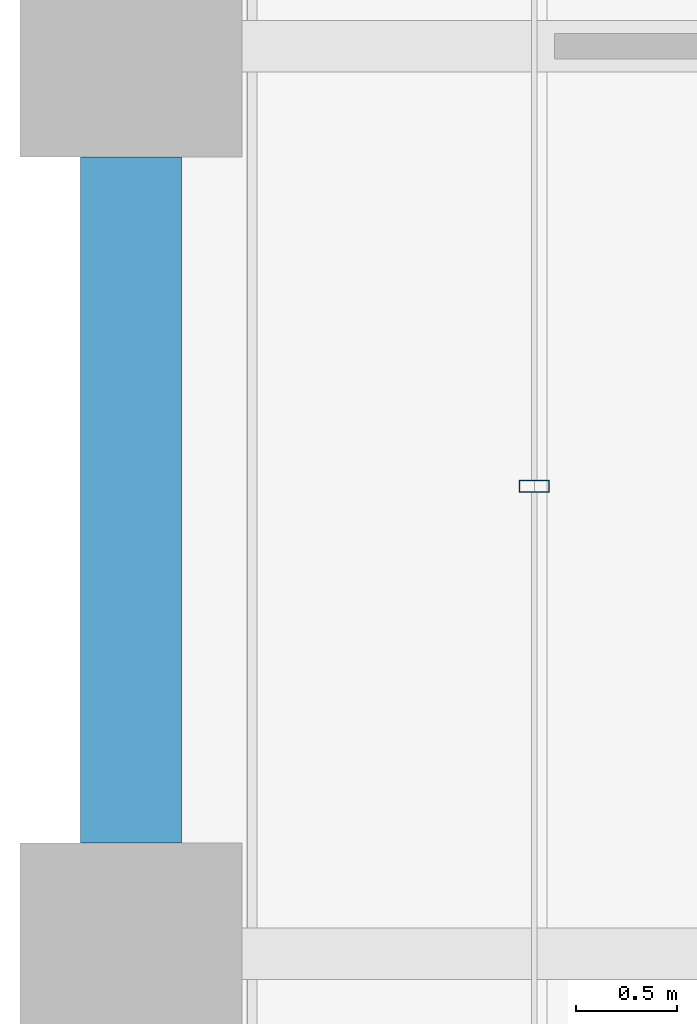
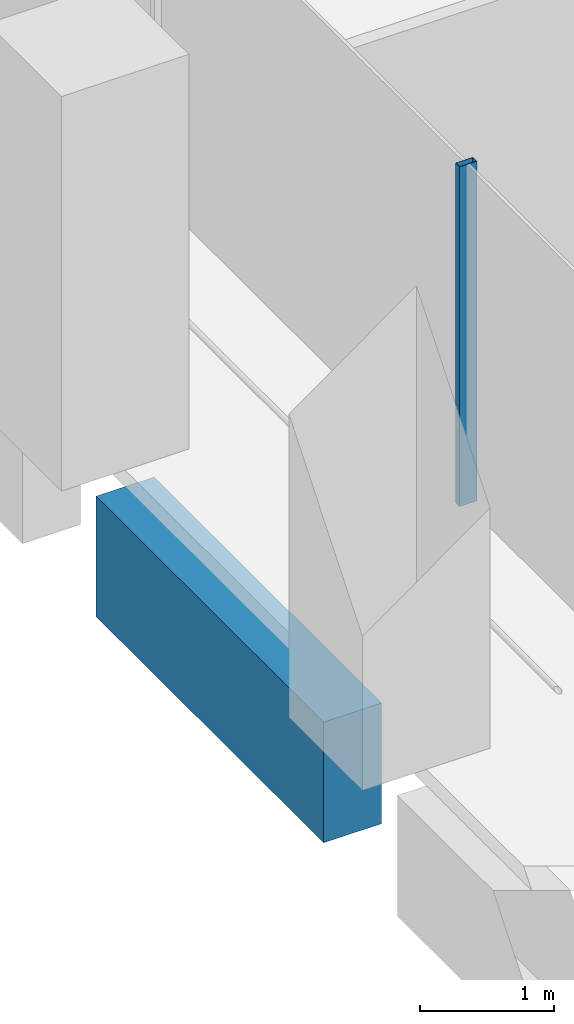
# One storey, part 12 of 56: 1 beam, 1 member, 1 element without a shape of its own.
"""IFC4 building model written with IfcOpenShell, lengths in metres."""

import ifcopenshell
import ifcopenshell.guid

model = None  # the IFC model being written
_history = None  # IfcOwnerHistory: only IFC2X3 demands one
_inside = {}  # id of a spatial element -> (the spatial element, [elements in it])
_under = {}  # id of a project, library or spatial element -> (it, [spatial elements below it])
_declared = {}  # id of a project -> (the project, [libraries it declares])
_typed = {}  # id of a type object -> (the type object, [elements of that type])
_made_of = {}  # id of a material, layer set ... -> (it, [elements and type objects made of it])


def new_model(schema):
    """Start an empty IFC model of exactly this schema.

    Asked for "IFC4X3", IfcOpenShell would pick the latest addendum, in which some entities
    have other attributes; the version numbers below select the first issue.
    IFC2X3 requires an IfcOwnerHistory on every rooted entity: one is made here for all.
    """
    global model, _history
    if schema == "IFC4X3":
        model = ifcopenshell.file(schema_version=(4, 3, 0, 0))
    else:
        model = ifcopenshell.file(schema=schema)
    _inside.clear()
    _under.clear()
    _declared.clear()
    _typed.clear()
    _made_of.clear()
    _history = None
    if model.schema == "IFC2X3":
        org = make("IfcOrganization", Name="unknown")
        user = make(
            "IfcPersonAndOrganization",
            ThePerson=make("IfcPerson", FamilyName="unknown"),
            TheOrganization=org,
        )
        app = make(
            "IfcApplication",
            ApplicationDeveloper=org,
            Version="unknown",
            ApplicationFullName="unknown",
            ApplicationIdentifier="unknown",
        )
        _history = make(
            "IfcOwnerHistory",
            OwningUser=user,
            OwningApplication=app,
            ChangeAction="ADDED",
            CreationDate=0,
        )
    return model


def make(cls, **values):
    """One entity of the class cls with the attributes given. An attribute that is None is left unset."""
    return model.create_entity(
        cls, **{name: value for name, value in values.items() if value is not None}
    )


def rooted(cls, **values):
    """An entity with a GlobalId (a new one), such as an element, a storey or a relation."""
    return make(cls, GlobalId=ifcopenshell.guid.new(), OwnerHistory=_history, **values)


def si_unit(unit_type, name, prefix=None):
    """IfcSIUnit, for example si_unit("LENGTHUNIT", "METRE", prefix="MILLI")."""
    return make("IfcSIUnit", UnitType=unit_type, Prefix=prefix, Name=name)


def assignment(units):
    """IfcUnitAssignment: the units of a project."""
    return None if units is None else make("IfcUnitAssignment", Units=units)


def point(xyz):
    """IfcCartesianPoint."""
    return None if xyz is None else make("IfcCartesianPoint", Coordinates=xyz)


def direction(xyz):
    """IfcDirection."""
    return None if xyz is None else make("IfcDirection", DirectionRatios=xyz)


def frame(location, z_axis=None, x_axis=None):
    """IfcAxis2Placement3D, a coordinate frame: its origin and axes. An axis left out is left unset."""
    return make(
        "IfcAxis2Placement3D",
        Location=point(location),
        Axis=direction(z_axis),
        RefDirection=direction(x_axis),
    )


def frame_2d(location, x_axis=None):
    """IfcAxis2Placement2D, a coordinate frame in the plane: its origin and x axis."""
    return make(
        "IfcAxis2Placement2D", Location=point(location), RefDirection=direction(x_axis)
    )


def origin():
    """The frame at (0, 0, 0) with its axes left unset."""
    return frame((0.0, 0.0, 0.0))


def origin_2d():
    """The frame at (0, 0) in the plane with its x axis left unset."""
    return frame_2d((0.0, 0.0))


def place(relative_to, where):
    """IfcLocalPlacement: puts the frame where relative to a parent placement (None: the world)."""
    return make(
        "IfcLocalPlacement", PlacementRelTo=relative_to, RelativePlacement=where
    )


def context(
    kind, dimensions, precision=None, world=None, true_north=None, identifier=None
):
    """IfcGeometricRepresentationContext, for example the 3D "Model" context."""
    return make(
        "IfcGeometricRepresentationContext",
        ContextIdentifier=identifier,
        ContextType=kind,
        CoordinateSpaceDimension=dimensions,
        Precision=precision,
        WorldCoordinateSystem=world,
        TrueNorth=true_north,
    )


def subcontext(parent, identifier, kind, view, scale=None):
    """IfcGeometricRepresentationSubContext, for example "Body" below "Model"."""
    return make(
        "IfcGeometricRepresentationSubContext",
        ContextIdentifier=identifier,
        ContextType=kind,
        ParentContext=parent,
        TargetScale=scale,
        TargetView=view,
    )


def project(units=None, contexts=None):
    """IfcProject with its units and contexts."""
    return rooted(
        "IfcProject",
        Name="project",
        RepresentationContexts=contexts,
        UnitsInContext=assignment(units),
    )


def spatial(cls, under=None, at=None, **own):
    """A site, building, storey or space (cls), placed at a placement, below another one or the project."""
    s = rooted(cls, ObjectPlacement=at, **own)
    if under is not None:
        _under.setdefault(under.id(), (under, []))[1].append(s)
    return s


def profile(cls, at=None, kind="AREA", **sizes):
    """A parametric profile (cls). Its sizes go by their IFC names, for example OverallWidth=200.0."""
    return make(cls, ProfileType=kind, Position=at, **sizes)


def rectangle(**sizes):
    """IfcRectangleProfileDef."""
    return profile("IfcRectangleProfileDef", **sizes)


def hollow_rectangle(**sizes):
    """IfcRectangleHollowProfileDef."""
    return profile("IfcRectangleHollowProfileDef", **sizes)


def extrude(swept, where, along, depth):
    """IfcExtrudedAreaSolid: the profile swept, set in the frame where, extruded along a direction by depth."""
    return make(
        "IfcExtrudedAreaSolid",
        SweptArea=swept,
        Position=where,
        ExtrudedDirection=direction(along),
        Depth=depth,
    )


def shape(context_of_items, identifier, shape_type, items):
    """IfcShapeRepresentation: the items that make up one representation, for example the "Body"."""
    return make(
        "IfcShapeRepresentation",
        ContextOfItems=context_of_items,
        RepresentationIdentifier=identifier,
        RepresentationType=shape_type,
        Items=items,
    )


def material(Name=None, Category=None):
    """IfcMaterial."""
    return make("IfcMaterial", Name=Name, Category=Category)


def material_profile(
    of_material, cross_section, Name=None, Category=None, Priority=None
):
    """IfcMaterialProfile: a cross section and its material."""
    return make(
        "IfcMaterialProfile",
        Name=Name,
        Material=of_material,
        Profile=cross_section,
        Priority=Priority,
        Category=Category,
    )


def profile_set(profiles, Name=None, composite=None):
    """IfcMaterialProfileSet."""
    return make(
        "IfcMaterialProfileSet",
        Name=Name,
        MaterialProfiles=profiles,
        CompositeProfile=composite,
    )


def made_of(thing, what):
    """Note that an element or type object is made of a material, layer set ...; save() writes the relation."""
    if what is not None:
        _made_of.setdefault(what.id(), (what, []))[1].append(thing)
    return thing


def type_object(cls, material=None, **own):
    """A type object (cls), such as IfcWallType, which elements share."""
    return made_of(rooted(cls, **own), material)


def element(
    cls,
    number,
    at=None,
    inside=None,
    cuts=None,
    type_object=None,
    material=None,
    context=None,
    identifier="Body",
    shape_type=None,
    held_by="IfcProductDefinitionShape",
    body=None,
    shapes=None,
    **own,
):
    """One element of the class cls, such as IfcWall. Its Tag is "e" and its number.

    at: its placement. inside: the storey or other place that contains it. cuts: it is an
    opening in that element (IfcRelVoidsElement). A single representation is given by context,
    identifier, shape_type and body (its items); several are given by shapes. held_by: the class
    of the entity that holds the representations. save() writes the other relations.
    """
    e = rooted(cls, Tag="e%d" % number, ObjectPlacement=at, **own)
    if body is not None:
        shapes = [shape(context, identifier, shape_type, body)]
    if shapes is not None:
        e.Representation = make(held_by, Representations=shapes)
    if inside is not None:
        _inside.setdefault(inside.id(), (inside, []))[1].append(e)
    if cuts is not None:
        rooted(
            "IfcRelVoidsElement", RelatingBuildingElement=cuts, RelatedOpeningElement=e
        )
    if type_object is not None:
        _typed.setdefault(type_object.id(), (type_object, []))[1].append(e)
    return made_of(e, material)


def aggregate(whole, parts):
    """IfcRelAggregates: a whole, such as a stair, and the parts it consists of."""
    return rooted("IfcRelAggregates", RelatingObject=whole, RelatedObjects=parts)


def save(model, path):
    """Write the relations noted so far, then the file.

    IfcRelAggregates (storeys below a building ...), IfcRelContainedInSpatialStructure (elements
    in a storey), IfcRelDefinesByType, IfcRelAssociatesMaterial and IfcRelDeclares: one each for
    every whole, place, type object, material and project.
    """
    for whole, parts in _under.values():
        aggregate(whole, parts)
    for where, things in _inside.values():
        rooted(
            "IfcRelContainedInSpatialStructure",
            RelatedElements=things,
            RelatingStructure=where,
        )
    for kind, things in _typed.values():
        rooted("IfcRelDefinesByType", RelatedObjects=things, RelatingType=kind)
    for what, things in _made_of.values():
        rooted("IfcRelAssociatesMaterial", RelatedObjects=things, RelatingMaterial=what)
    for by, libraries in _declared.values():
        rooted("IfcRelDeclares", RelatingContext=by, RelatedDefinitions=libraries)
    model.write(path)


model = new_model("IFC4")

# Units and contexts
model_context = context("Model", 3, precision=1e-05, world=origin(), true_north=direction((0.0, 1.0)))
body_context = subcontext(model_context, "Body", "Model", "MODEL_VIEW")
ifc_project = project(units=[si_unit("LENGTHUNIT", "METRE"), si_unit("AREAUNIT", "SQUARE_METRE"), si_unit("VOLUMEUNIT", "CUBIC_METRE"), si_unit("PLANEANGLEUNIT", "RADIAN"), si_unit("MASSUNIT", "GRAM", prefix="KILO")], contexts=[model_context])

# Site, building, storey
site_placement = place(None, origin())
site = spatial("IfcSite", under=ifc_project, at=site_placement, CompositionType="ELEMENT")
building_placement = place(site_placement, origin())
building = spatial("IfcBuilding", under=site, at=building_placement, Name="Altepetl Exchange Towers", CompositionType="ELEMENT")
storey_placement = place(building_placement, frame((0.0, 0.0, 79.800048828125)))
storey = spatial("IfcBuildingStorey", under=building, at=storey_placement, Name="L19", CompositionType="ELEMENT", Elevation=79.800048828125)

# Curtain wall, member
ifc_material_1 = material(Name="Aluminium 6063-T6 glazing", Category="aluminium")
curtain_wall_type = type_object("IfcCurtainWallType", Name="Loggia glazing system", PredefinedType="NOTDEFINED", material=ifc_material_1)
curtain_wall_placement = place(storey_placement, origin())
curtain_wall = element("IfcCurtainWall", 1, at=curtain_wall_placement, inside=storey, type_object=curtain_wall_type, Name="CW1 run", PredefinedType="NOTDEFINED")
ifc_material_2 = material(Name="Aluminium 6063-T6", Category="aluminium")
ifc_material_profile_1 = material_profile(ifc_material_2, hollow_rectangle(XDim=0.06005859375, YDim=0.14990234375, WallThickness=0.0029296875, at=origin_2d()), Name="Mullion 60x150 aluminium")
ifc_profile_set_1 = profile_set([ifc_material_profile_1], Name="Aluminium 6063-T6")
member_type = type_object("IfcMemberType", Name="Mullion 60x150 aluminium", PredefinedType="MULLION", material=ifc_profile_set_1)
member_placement = place(storey_placement, frame((29.0, 51.81787109375, 0.0), z_axis=(0.0, 0.0, 1.0), x_axis=(0.0, -1.0, 0.0)))
member = element("IfcMember", 2, at=member_placement, type_object=member_type, Name="MU1 mullion", PredefinedType="MULLION", context=body_context, shape_type="SweptSolid", body=[
    extrude(hollow_rectangle(XDim=0.06005859375, YDim=0.14990234375, WallThickness=0.0029296875, at=origin_2d()), origin(), (0.0, 0.0, 1.0), 3.099853515625),
])
aggregate(curtain_wall, [member])

# Beam
ifc_material_3 = material(Name="Concrete C50/60 precast with tezontle facing", Category="concrete")
ifc_material_profile_2 = material_profile(ifc_material_3, rectangle(XDim=0.5, YDim=1.10009765625, at=origin_2d()), Name="500 x 1100")
ifc_profile_set_2 = profile_set([ifc_material_profile_2], Name="Concrete C50/60 precast with tezontle facing")
beam_type = type_object("IfcBeamType", Name="Spandrel beam 500x1100 tezontle", PredefinedType="SPANDREL", material=ifc_profile_set_2)
beam_placement = place(storey_placement, frame((27.0, 53.449951171875, -0.699951171875), z_axis=(0.0, -1.0, 0.0), x_axis=(1.0, 0.0, 0.0)))
element("IfcBeam", 3, at=beam_placement, inside=storey, type_object=beam_type, Name="sp:A:L19:039", PredefinedType="SPANDREL", context=body_context, shape_type="SweptSolid", body=[
    extrude(rectangle(XDim=0.5, YDim=1.10009765625, at=origin_2d()), origin(), (0.0, 0.0, 1.0), 3.39990234375),
])

save(model, "model.ifc")
